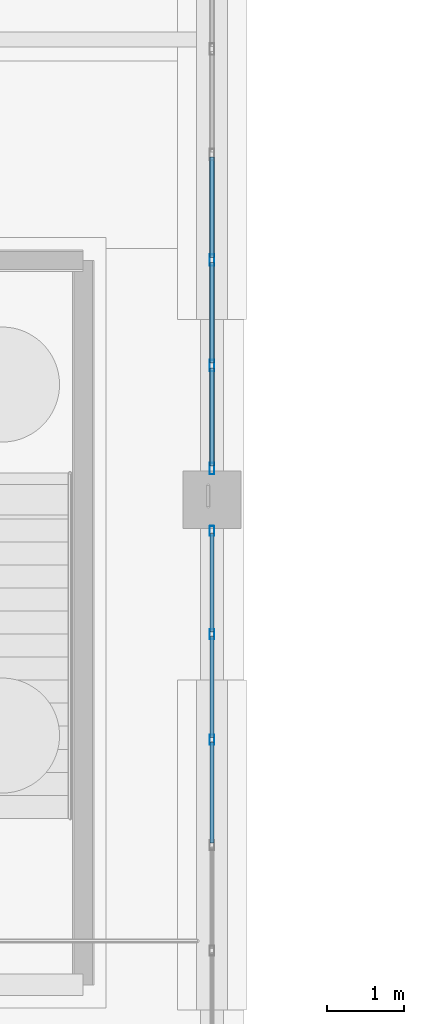
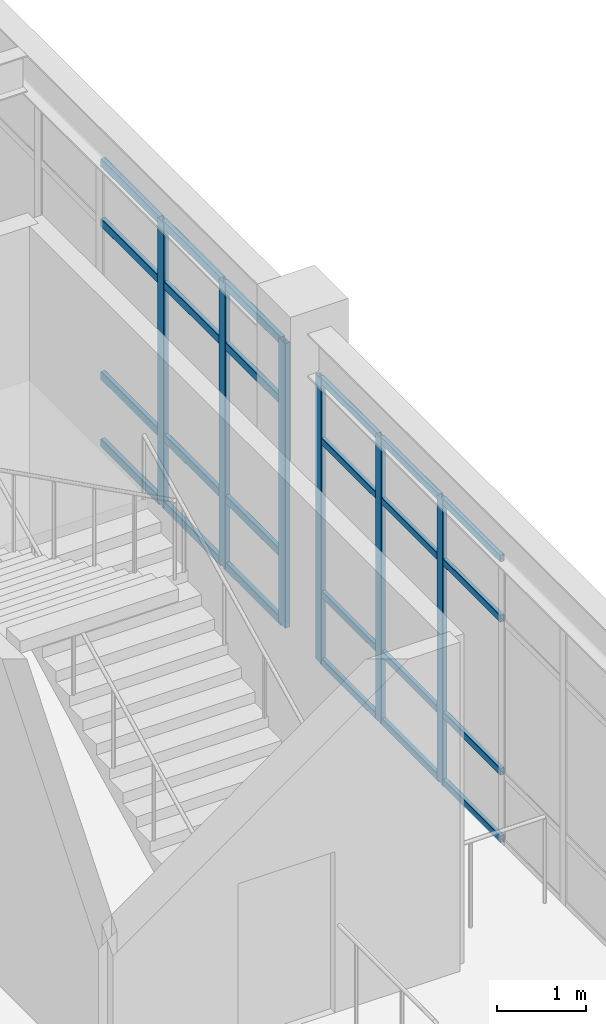
# One storey, part 52 of 139: 30 members, 2 elements without a shape of their own.
"""IFC4 building model written with IfcOpenShell, lengths in metres."""

from ifc_helpers import new_model, si_unit, direction, frame, origin, origin_2d, place, context, subcontext, project, spatial, hollow_rectangle, extrude, material, material_profile, profile_set, type_object, element, aggregate, save


model = new_model("IFC4")

# Units and contexts
model_context = context("Model", 3, precision=1e-05, world=origin(), true_north=direction((0.0, 1.0)))
body_context = subcontext(model_context, "Body", "Model", "MODEL_VIEW")
ifc_project = project(units=[si_unit("LENGTHUNIT", "METRE"), si_unit("AREAUNIT", "SQUARE_METRE"), si_unit("VOLUMEUNIT", "CUBIC_METRE"), si_unit("PLANEANGLEUNIT", "RADIAN"), si_unit("MASSUNIT", "GRAM", prefix="KILO")], contexts=[model_context])

# Site, building, storey
site_placement = place(None, origin())
site = spatial("IfcSite", under=ifc_project, at=site_placement, CompositionType="ELEMENT")
building_placement = place(site_placement, origin())
building = spatial("IfcBuilding", under=site, at=building_placement, Name="Canglan Escarpment Cableway Terminal", CompositionType="ELEMENT")
storey_placement = place(building_placement, frame((0.0, 0.0, 14.39990234375)))
storey = spatial("IfcBuildingStorey", under=building, at=storey_placement, Name="L03", CompositionType="ELEMENT", Elevation=14.39990234375)

# Curtain wall, members
ifc_material_1 = material(Name="Anodized bronze aluminium and Low-E double glazing", Category="aluminium")
curtain_wall_type = type_object("IfcCurtainWallType", Name="CW-BAY-8250x3900", PredefinedType="NOTDEFINED", material=ifc_material_1)
curtain_wall_1_placement = place(storey_placement, origin())
curtain_wall_1 = element("IfcCurtainWall", 1, at=curtain_wall_1_placement, inside=storey, type_object=curtain_wall_type, Name="Classical bay-between-piers glazed curtain wall CW-62", PredefinedType="NOTDEFINED")
ifc_material_2 = material(Name="Thermally broken anodized aluminium 6063-T6", Category="aluminium")
ifc_material_profile_1 = material_profile(ifc_material_2, hollow_rectangle(XDim=0.06005859375, YDim=0.1298828125, WallThickness=0.0029296875, InnerFilletRadius=0.0029296875, OuterFilletRadius=0.006103515625, at=origin_2d()), Name="ALU-MULL 60x130x3")
ifc_profile_set_1 = profile_set([ifc_material_profile_1], Name="Thermally broken anodized aluminium 6063-T6")
member_type_1 = type_object("IfcMemberType", Name="CWM-01", PredefinedType="MULLION", material=ifc_profile_set_1)
member_1_placement = place(storey_placement, frame((166.39990234375, 39.875, 0.0), z_axis=(0.0, 0.0, 1.0), x_axis=(-1.0, 0.0, 0.0)))
member_1 = element("IfcMember", 2, at=member_1_placement, type_object=member_type_1, Name="CW-62 mullion 5", PredefinedType="MULLION", context=body_context, shape_type="SweptSolid", body=[
    extrude(hollow_rectangle(XDim=0.06005859375, YDim=0.1298828125, WallThickness=0.0029296875, InnerFilletRadius=0.0029296875, OuterFilletRadius=0.006103515625, at=origin_2d()), origin(), (0.0, 0.0, 1.0), 3.89111328125),
])
member_2_placement = place(storey_placement, frame((166.39990234375, 41.25, 0.0), z_axis=(0.0, 0.0, 1.0), x_axis=(-1.0, 0.0, 0.0)))
member_2 = element("IfcMember", 3, at=member_2_placement, type_object=member_type_1, Name="CW-62 mullion 6", PredefinedType="MULLION", context=body_context, shape_type="SweptSolid", body=[
    extrude(hollow_rectangle(XDim=0.06005859375, YDim=0.1298828125, WallThickness=0.0029296875, InnerFilletRadius=0.0029296875, OuterFilletRadius=0.006103515625, at=origin_2d()), origin(), (0.0, 0.0, 1.0), 3.89111328125),
])
member_3_placement = place(storey_placement, frame((166.39990234375, 42.594970703125, 0.0), z_axis=(0.0, 0.0, 1.0), x_axis=(-1.0, 0.0, 0.0)))
member_3 = element("IfcMember", 4, at=member_3_placement, type_object=member_type_1, Name="CW-62 mullion 7", PredefinedType="MULLION", context=body_context, shape_type="SweptSolid", body=[
    extrude(hollow_rectangle(XDim=0.06005859375, YDim=0.1298828125, WallThickness=0.0029296875, InnerFilletRadius=0.0029296875, OuterFilletRadius=0.006103515625, at=origin_2d()), origin(), (0.0, 0.0, 1.0), 3.89111328125),
])

curtain_wall_2_placement = place(storey_placement, origin())
curtain_wall_2 = element("IfcCurtainWall", 5, at=curtain_wall_2_placement, inside=storey, type_object=curtain_wall_type, Name="Classical bay-between-piers glazed curtain wall CW-62", PredefinedType="NOTDEFINED")
ifc_material_profile_2 = material_profile(ifc_material_2, hollow_rectangle(XDim=0.06494140625, YDim=0.14990234375, WallThickness=0.00341796875, InnerFilletRadius=0.00341796875, OuterFilletRadius=0.007080078125, at=origin_2d()), Name="ALU-MULL 65x150x3.5")
ifc_profile_set_2 = profile_set([ifc_material_profile_2], Name="Thermally broken anodized aluminium 6063-T6")
member_type_2 = type_object("IfcMemberType", Name="CWM-02", PredefinedType="MULLION", material=ifc_profile_set_2)
member_4_placement = place(storey_placement, frame((166.39990234375, 43.407470703125, 0.0), z_axis=(0.0, 0.0, 1.0), x_axis=(-1.0, 0.0, 0.0)))
member_4 = element("IfcMember", 6, at=member_4_placement, type_object=member_type_2, Name="CW-62 mullion 1", PredefinedType="MULLION", context=body_context, shape_type="SweptSolid", body=[
    extrude(hollow_rectangle(XDim=0.06494140625, YDim=0.14990234375, WallThickness=0.00341796875, InnerFilletRadius=0.00341796875, OuterFilletRadius=0.007080078125, at=origin_2d()), origin(), (0.0, 0.0, 1.0), 3.89111328125),
])
member_5_placement = place(storey_placement, frame((166.39990234375, 44.75, 0.0), z_axis=(0.0, 0.0, 1.0), x_axis=(-1.0, 0.0, 0.0)))
member_5 = element("IfcMember", 7, at=member_5_placement, type_object=member_type_2, Name="CW-62 mullion 2", PredefinedType="MULLION", context=body_context, shape_type="SweptSolid", body=[
    extrude(hollow_rectangle(XDim=0.06494140625, YDim=0.14990234375, WallThickness=0.00341796875, InnerFilletRadius=0.00341796875, OuterFilletRadius=0.007080078125, at=origin_2d()), origin(), (0.0, 0.0, 1.0), 3.89111328125),
])
member_6_placement = place(storey_placement, frame((166.39990234375, 46.125, 0.0), z_axis=(0.0, 0.0, 1.0), x_axis=(-1.0, 0.0, 0.0)))
member_6 = element("IfcMember", 8, at=member_6_placement, type_object=member_type_2, Name="CW-62 mullion 3", PredefinedType="MULLION", context=body_context, shape_type="SweptSolid", body=[
    extrude(hollow_rectangle(XDim=0.06494140625, YDim=0.14990234375, WallThickness=0.00341796875, InnerFilletRadius=0.00341796875, OuterFilletRadius=0.007080078125, at=origin_2d()), origin(), (0.0, 0.0, 1.0), 3.89111328125),
])

# Member
ifc_material_profile_3 = material_profile(ifc_material_2, hollow_rectangle(XDim=0.054931640625, YDim=0.094970703125, WallThickness=0.0029296875, InnerFilletRadius=0.0029296875, OuterFilletRadius=0.006103515625, at=origin_2d()), Name="ALU-TRAN 55x95x3")
ifc_profile_set_3 = profile_set([ifc_material_profile_3], Name="Thermally broken anodized aluminium 6063-T6")
member_type_3 = type_object("IfcMemberType", Name="CWT-01", PredefinedType="USERDEFINED", material=ifc_profile_set_3)
member_7_placement = place(storey_placement, frame((166.39990234375, 38.530029296875, 0.027587890625), z_axis=(0.0, 1.0, 0.0), x_axis=(-1.0, 0.0, 0.0)))
member_7 = element("IfcMember", 9, at=member_7_placement, type_object=member_type_3, Name="CW-62 transom 4.1", ObjectType="TRANSOM", PredefinedType="USERDEFINED", context=body_context, shape_type="SweptSolid", body=[
    extrude(hollow_rectangle(XDim=0.054931640625, YDim=0.094970703125, WallThickness=0.0029296875, InnerFilletRadius=0.0029296875, OuterFilletRadius=0.006103515625, at=origin_2d()), origin(), (0.0, 0.0, 1.0), 1.31494140625),
])

member_8_placement = place(storey_placement, frame((166.39990234375, 38.530029296875, 0.9501953125), z_axis=(0.0, 1.0, 0.0), x_axis=(-1.0, 0.0, 0.0)))
member_8 = element("IfcMember", 10, at=member_8_placement, type_object=member_type_3, Name="CW-62 transom 4.2", ObjectType="TRANSOM", PredefinedType="USERDEFINED", context=body_context, shape_type="SweptSolid", body=[
    extrude(hollow_rectangle(XDim=0.054931640625, YDim=0.094970703125, WallThickness=0.0029296875, InnerFilletRadius=0.0029296875, OuterFilletRadius=0.006103515625, at=origin_2d()), origin(), (0.0, 0.0, 1.0), 1.31494140625),
])

member_9_placement = place(storey_placement, frame((166.39990234375, 38.530029296875, 3.041015625), z_axis=(0.0, 1.0, 0.0), x_axis=(-1.0, 0.0, 0.0)))
member_9 = element("IfcMember", 11, at=member_9_placement, type_object=member_type_3, Name="CW-62 transom 4.3", ObjectType="TRANSOM", PredefinedType="USERDEFINED", context=body_context, shape_type="SweptSolid", body=[
    extrude(hollow_rectangle(XDim=0.054931640625, YDim=0.094970703125, WallThickness=0.0029296875, InnerFilletRadius=0.0029296875, OuterFilletRadius=0.006103515625, at=origin_2d()), origin(), (0.0, 0.0, 1.0), 1.31494140625),
])

member_10_placement = place(storey_placement, frame((166.39990234375, 38.530029296875, 3.863525390625), z_axis=(0.0, 1.0, 0.0), x_axis=(-1.0, 0.0, 0.0)))
member_10 = element("IfcMember", 12, at=member_10_placement, type_object=member_type_3, Name="CW-62 transom 4.4", ObjectType="TRANSOM", PredefinedType="USERDEFINED", context=body_context, shape_type="SweptSolid", body=[
    extrude(hollow_rectangle(XDim=0.054931640625, YDim=0.094970703125, WallThickness=0.0029296875, InnerFilletRadius=0.0029296875, OuterFilletRadius=0.006103515625, at=origin_2d()), origin(), (0.0, 0.0, 1.0), 1.31494140625),
])

member_11_placement = place(storey_placement, frame((166.39990234375, 39.905029296875, 0.027587890625), z_axis=(0.0, 1.0, 0.0), x_axis=(-1.0, 0.0, 0.0)))
member_11 = element("IfcMember", 13, at=member_11_placement, type_object=member_type_3, Name="CW-62 transom 5.1", ObjectType="TRANSOM", PredefinedType="USERDEFINED", context=body_context, shape_type="SweptSolid", body=[
    extrude(hollow_rectangle(XDim=0.054931640625, YDim=0.094970703125, WallThickness=0.0029296875, InnerFilletRadius=0.0029296875, OuterFilletRadius=0.006103515625, at=origin_2d()), origin(), (0.0, 0.0, 1.0), 1.31494140625),
])

member_12_placement = place(storey_placement, frame((166.39990234375, 39.905029296875, 0.9501953125), z_axis=(0.0, 1.0, 0.0), x_axis=(-1.0, 0.0, 0.0)))
member_12 = element("IfcMember", 14, at=member_12_placement, type_object=member_type_3, Name="CW-62 transom 5.2", ObjectType="TRANSOM", PredefinedType="USERDEFINED", context=body_context, shape_type="SweptSolid", body=[
    extrude(hollow_rectangle(XDim=0.054931640625, YDim=0.094970703125, WallThickness=0.0029296875, InnerFilletRadius=0.0029296875, OuterFilletRadius=0.006103515625, at=origin_2d()), origin(), (0.0, 0.0, 1.0), 1.31494140625),
])

member_13_placement = place(storey_placement, frame((166.39990234375, 39.905029296875, 3.041015625), z_axis=(0.0, 1.0, 0.0), x_axis=(-1.0, 0.0, 0.0)))
member_13 = element("IfcMember", 15, at=member_13_placement, type_object=member_type_3, Name="CW-62 transom 5.3", ObjectType="TRANSOM", PredefinedType="USERDEFINED", context=body_context, shape_type="SweptSolid", body=[
    extrude(hollow_rectangle(XDim=0.054931640625, YDim=0.094970703125, WallThickness=0.0029296875, InnerFilletRadius=0.0029296875, OuterFilletRadius=0.006103515625, at=origin_2d()), origin(), (0.0, 0.0, 1.0), 1.31494140625),
])

member_14_placement = place(storey_placement, frame((166.39990234375, 39.905029296875, 3.863525390625), z_axis=(0.0, 1.0, 0.0), x_axis=(-1.0, 0.0, 0.0)))
member_14 = element("IfcMember", 16, at=member_14_placement, type_object=member_type_3, Name="CW-62 transom 5.4", ObjectType="TRANSOM", PredefinedType="USERDEFINED", context=body_context, shape_type="SweptSolid", body=[
    extrude(hollow_rectangle(XDim=0.054931640625, YDim=0.094970703125, WallThickness=0.0029296875, InnerFilletRadius=0.0029296875, OuterFilletRadius=0.006103515625, at=origin_2d()), origin(), (0.0, 0.0, 1.0), 1.31494140625),
])

member_15_placement = place(storey_placement, frame((166.39990234375, 41.280029296875, 0.027587890625), z_axis=(0.0, 1.0, 0.0), x_axis=(-1.0, 0.0, 0.0)))
member_15 = element("IfcMember", 17, at=member_15_placement, type_object=member_type_3, Name="CW-62 transom 6.1", ObjectType="TRANSOM", PredefinedType="USERDEFINED", context=body_context, shape_type="SweptSolid", body=[
    extrude(hollow_rectangle(XDim=0.054931640625, YDim=0.094970703125, WallThickness=0.0029296875, InnerFilletRadius=0.0029296875, OuterFilletRadius=0.006103515625, at=origin_2d()), origin(), (0.0, 0.0, 1.0), 1.284912109375),
])

member_16_placement = place(storey_placement, frame((166.39990234375, 41.280029296875, 0.9501953125), z_axis=(0.0, 1.0, 0.0), x_axis=(-1.0, 0.0, 0.0)))
member_16 = element("IfcMember", 18, at=member_16_placement, type_object=member_type_3, Name="CW-62 transom 6.2", ObjectType="TRANSOM", PredefinedType="USERDEFINED", context=body_context, shape_type="SweptSolid", body=[
    extrude(hollow_rectangle(XDim=0.054931640625, YDim=0.094970703125, WallThickness=0.0029296875, InnerFilletRadius=0.0029296875, OuterFilletRadius=0.006103515625, at=origin_2d()), origin(), (0.0, 0.0, 1.0), 1.284912109375),
])

member_17_placement = place(storey_placement, frame((166.39990234375, 41.280029296875, 3.041015625), z_axis=(0.0, 1.0, 0.0), x_axis=(-1.0, 0.0, 0.0)))
member_17 = element("IfcMember", 19, at=member_17_placement, type_object=member_type_3, Name="CW-62 transom 6.3", ObjectType="TRANSOM", PredefinedType="USERDEFINED", context=body_context, shape_type="SweptSolid", body=[
    extrude(hollow_rectangle(XDim=0.054931640625, YDim=0.094970703125, WallThickness=0.0029296875, InnerFilletRadius=0.0029296875, OuterFilletRadius=0.006103515625, at=origin_2d()), origin(), (0.0, 0.0, 1.0), 1.284912109375),
])

member_18_placement = place(storey_placement, frame((166.39990234375, 41.280029296875, 3.863525390625), z_axis=(0.0, 1.0, 0.0), x_axis=(-1.0, 0.0, 0.0)))
member_18 = element("IfcMember", 20, at=member_18_placement, type_object=member_type_3, Name="CW-62 transom 6.4", ObjectType="TRANSOM", PredefinedType="USERDEFINED", context=body_context, shape_type="SweptSolid", body=[
    extrude(hollow_rectangle(XDim=0.054931640625, YDim=0.094970703125, WallThickness=0.0029296875, InnerFilletRadius=0.0029296875, OuterFilletRadius=0.006103515625, at=origin_2d()), origin(), (0.0, 0.0, 1.0), 1.284912109375),
])

aggregate(curtain_wall_1, [member_1, member_2, member_3, member_7, member_8, member_9, member_10, member_11, member_12, member_13, member_14, member_15, member_16, member_17, member_18])

ifc_material_profile_4 = material_profile(ifc_material_2, hollow_rectangle(XDim=0.06005859375, YDim=0.110107421875, WallThickness=0.0029296875, InnerFilletRadius=0.0029296875, OuterFilletRadius=0.006103515625, at=origin_2d()), Name="ALU-TRAN 60x110x3")
ifc_profile_set_4 = profile_set([ifc_material_profile_4], Name="Thermally broken anodized aluminium 6063-T6")
member_type_4 = type_object("IfcMemberType", Name="CWT-02", PredefinedType="USERDEFINED", material=ifc_profile_set_4)
member_19_placement = place(storey_placement, frame((166.39990234375, 43.43994140625, 0.030029296875), z_axis=(0.0, 1.0, 0.0), x_axis=(-1.0, 0.0, 0.0)))
member_19 = element("IfcMember", 21, at=member_19_placement, type_object=member_type_4, Name="CW-62 transom 1.1", ObjectType="TRANSOM", PredefinedType="USERDEFINED", context=body_context, shape_type="SweptSolid", body=[
    extrude(hollow_rectangle(XDim=0.06005859375, YDim=0.110107421875, WallThickness=0.0029296875, InnerFilletRadius=0.0029296875, OuterFilletRadius=0.006103515625, at=origin_2d()), origin(), (0.0, 0.0, 1.0), 1.277587890625),
])

member_20_placement = place(storey_placement, frame((166.39990234375, 43.43994140625, 0.9501953125), z_axis=(0.0, 1.0, 0.0), x_axis=(-1.0, 0.0, 0.0)))
member_20 = element("IfcMember", 22, at=member_20_placement, type_object=member_type_4, Name="CW-62 transom 1.2", ObjectType="TRANSOM", PredefinedType="USERDEFINED", context=body_context, shape_type="SweptSolid", body=[
    extrude(hollow_rectangle(XDim=0.06005859375, YDim=0.110107421875, WallThickness=0.0029296875, InnerFilletRadius=0.0029296875, OuterFilletRadius=0.006103515625, at=origin_2d()), origin(), (0.0, 0.0, 1.0), 1.277587890625),
])

member_21_placement = place(storey_placement, frame((166.39990234375, 43.43994140625, 3.041015625), z_axis=(0.0, 1.0, 0.0), x_axis=(-1.0, 0.0, 0.0)))
member_21 = element("IfcMember", 23, at=member_21_placement, type_object=member_type_4, Name="CW-62 transom 1.3", ObjectType="TRANSOM", PredefinedType="USERDEFINED", context=body_context, shape_type="SweptSolid", body=[
    extrude(hollow_rectangle(XDim=0.06005859375, YDim=0.110107421875, WallThickness=0.0029296875, InnerFilletRadius=0.0029296875, OuterFilletRadius=0.006103515625, at=origin_2d()), origin(), (0.0, 0.0, 1.0), 1.277587890625),
])

member_22_placement = place(storey_placement, frame((166.39990234375, 43.43994140625, 3.861083984375), z_axis=(0.0, 1.0, 0.0), x_axis=(-1.0, 0.0, 0.0)))
member_22 = element("IfcMember", 24, at=member_22_placement, type_object=member_type_4, Name="CW-62 transom 1.4", ObjectType="TRANSOM", PredefinedType="USERDEFINED", context=body_context, shape_type="SweptSolid", body=[
    extrude(hollow_rectangle(XDim=0.06005859375, YDim=0.110107421875, WallThickness=0.0029296875, InnerFilletRadius=0.0029296875, OuterFilletRadius=0.006103515625, at=origin_2d()), origin(), (0.0, 0.0, 1.0), 1.277587890625),
])

member_23_placement = place(storey_placement, frame((166.39990234375, 44.782470703125, 0.030029296875), z_axis=(0.0, 1.0, 0.0), x_axis=(-1.0, 0.0, 0.0)))
member_23 = element("IfcMember", 25, at=member_23_placement, type_object=member_type_4, Name="CW-62 transom 2.1", ObjectType="TRANSOM", PredefinedType="USERDEFINED", context=body_context, shape_type="SweptSolid", body=[
    extrude(hollow_rectangle(XDim=0.06005859375, YDim=0.110107421875, WallThickness=0.0029296875, InnerFilletRadius=0.0029296875, OuterFilletRadius=0.006103515625, at=origin_2d()), origin(), (0.0, 0.0, 1.0), 1.31005859375),
])

member_24_placement = place(storey_placement, frame((166.39990234375, 44.782470703125, 0.9501953125), z_axis=(0.0, 1.0, 0.0), x_axis=(-1.0, 0.0, 0.0)))
member_24 = element("IfcMember", 26, at=member_24_placement, type_object=member_type_4, Name="CW-62 transom 2.2", ObjectType="TRANSOM", PredefinedType="USERDEFINED", context=body_context, shape_type="SweptSolid", body=[
    extrude(hollow_rectangle(XDim=0.06005859375, YDim=0.110107421875, WallThickness=0.0029296875, InnerFilletRadius=0.0029296875, OuterFilletRadius=0.006103515625, at=origin_2d()), origin(), (0.0, 0.0, 1.0), 1.31005859375),
])

member_25_placement = place(storey_placement, frame((166.39990234375, 44.782470703125, 3.041015625), z_axis=(0.0, 1.0, 0.0), x_axis=(-1.0, 0.0, 0.0)))
member_25 = element("IfcMember", 27, at=member_25_placement, type_object=member_type_4, Name="CW-62 transom 2.3", ObjectType="TRANSOM", PredefinedType="USERDEFINED", context=body_context, shape_type="SweptSolid", body=[
    extrude(hollow_rectangle(XDim=0.06005859375, YDim=0.110107421875, WallThickness=0.0029296875, InnerFilletRadius=0.0029296875, OuterFilletRadius=0.006103515625, at=origin_2d()), origin(), (0.0, 0.0, 1.0), 1.31005859375),
])

member_26_placement = place(storey_placement, frame((166.39990234375, 44.782470703125, 3.861083984375), z_axis=(0.0, 1.0, 0.0), x_axis=(-1.0, 0.0, 0.0)))
member_26 = element("IfcMember", 28, at=member_26_placement, type_object=member_type_4, Name="CW-62 transom 2.4", ObjectType="TRANSOM", PredefinedType="USERDEFINED", context=body_context, shape_type="SweptSolid", body=[
    extrude(hollow_rectangle(XDim=0.06005859375, YDim=0.110107421875, WallThickness=0.0029296875, InnerFilletRadius=0.0029296875, OuterFilletRadius=0.006103515625, at=origin_2d()), origin(), (0.0, 0.0, 1.0), 1.31005859375),
])

member_27_placement = place(storey_placement, frame((166.39990234375, 46.157470703125, 0.030029296875), z_axis=(0.0, 1.0, 0.0), x_axis=(-1.0, 0.0, 0.0)))
member_27 = element("IfcMember", 29, at=member_27_placement, type_object=member_type_4, Name="CW-62 transom 3.1", ObjectType="TRANSOM", PredefinedType="USERDEFINED", context=body_context, shape_type="SweptSolid", body=[
    extrude(hollow_rectangle(XDim=0.06005859375, YDim=0.110107421875, WallThickness=0.0029296875, InnerFilletRadius=0.0029296875, OuterFilletRadius=0.006103515625, at=origin_2d()), origin(), (0.0, 0.0, 1.0), 1.31005859375),
])

member_28_placement = place(storey_placement, frame((166.39990234375, 46.157470703125, 0.9501953125), z_axis=(0.0, 1.0, 0.0), x_axis=(-1.0, 0.0, 0.0)))
member_28 = element("IfcMember", 30, at=member_28_placement, type_object=member_type_4, Name="CW-62 transom 3.2", ObjectType="TRANSOM", PredefinedType="USERDEFINED", context=body_context, shape_type="SweptSolid", body=[
    extrude(hollow_rectangle(XDim=0.06005859375, YDim=0.110107421875, WallThickness=0.0029296875, InnerFilletRadius=0.0029296875, OuterFilletRadius=0.006103515625, at=origin_2d()), origin(), (0.0, 0.0, 1.0), 1.31005859375),
])

member_29_placement = place(storey_placement, frame((166.39990234375, 46.157470703125, 3.041015625), z_axis=(0.0, 1.0, 0.0), x_axis=(-1.0, 0.0, 0.0)))
member_29 = element("IfcMember", 31, at=member_29_placement, type_object=member_type_4, Name="CW-62 transom 3.3", ObjectType="TRANSOM", PredefinedType="USERDEFINED", context=body_context, shape_type="SweptSolid", body=[
    extrude(hollow_rectangle(XDim=0.06005859375, YDim=0.110107421875, WallThickness=0.0029296875, InnerFilletRadius=0.0029296875, OuterFilletRadius=0.006103515625, at=origin_2d()), origin(), (0.0, 0.0, 1.0), 1.31005859375),
])

member_30_placement = place(storey_placement, frame((166.39990234375, 46.157470703125, 3.861083984375), z_axis=(0.0, 1.0, 0.0), x_axis=(-1.0, 0.0, 0.0)))
member_30 = element("IfcMember", 32, at=member_30_placement, type_object=member_type_4, Name="CW-62 transom 3.4", ObjectType="TRANSOM", PredefinedType="USERDEFINED", context=body_context, shape_type="SweptSolid", body=[
    extrude(hollow_rectangle(XDim=0.06005859375, YDim=0.110107421875, WallThickness=0.0029296875, InnerFilletRadius=0.0029296875, OuterFilletRadius=0.006103515625, at=origin_2d()), origin(), (0.0, 0.0, 1.0), 1.31005859375),
])

aggregate(curtain_wall_2, [member_4, member_5, member_6, member_19, member_20, member_21, member_22, member_23, member_24, member_25, member_26, member_27, member_28, member_29, member_30])

save(model, "model.ifc")
